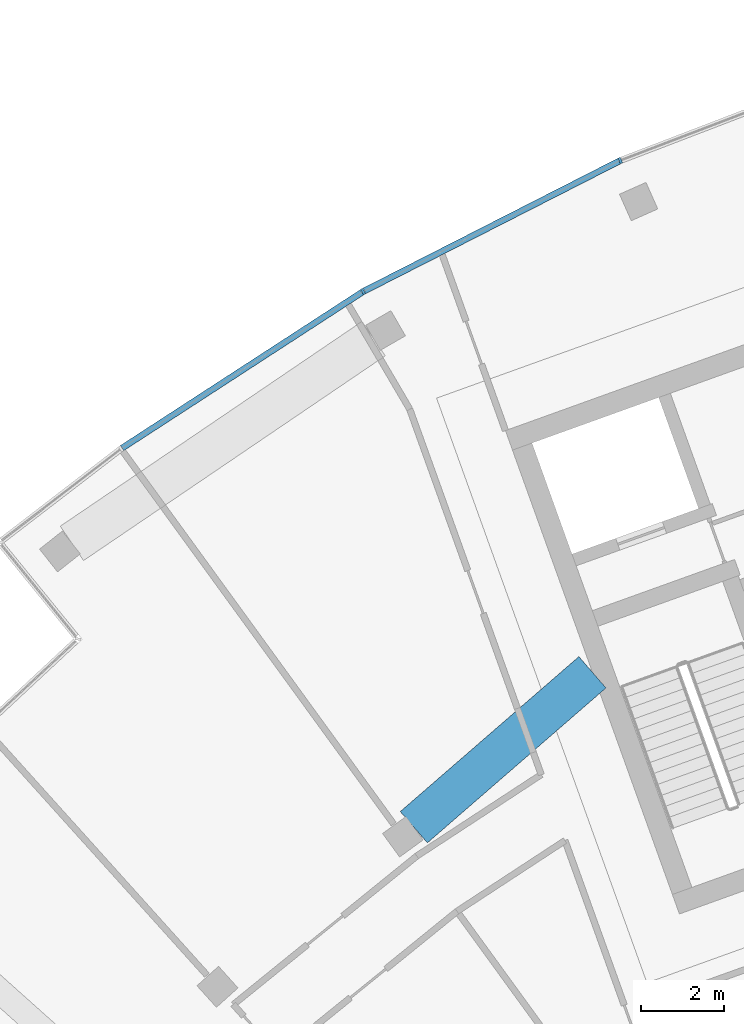
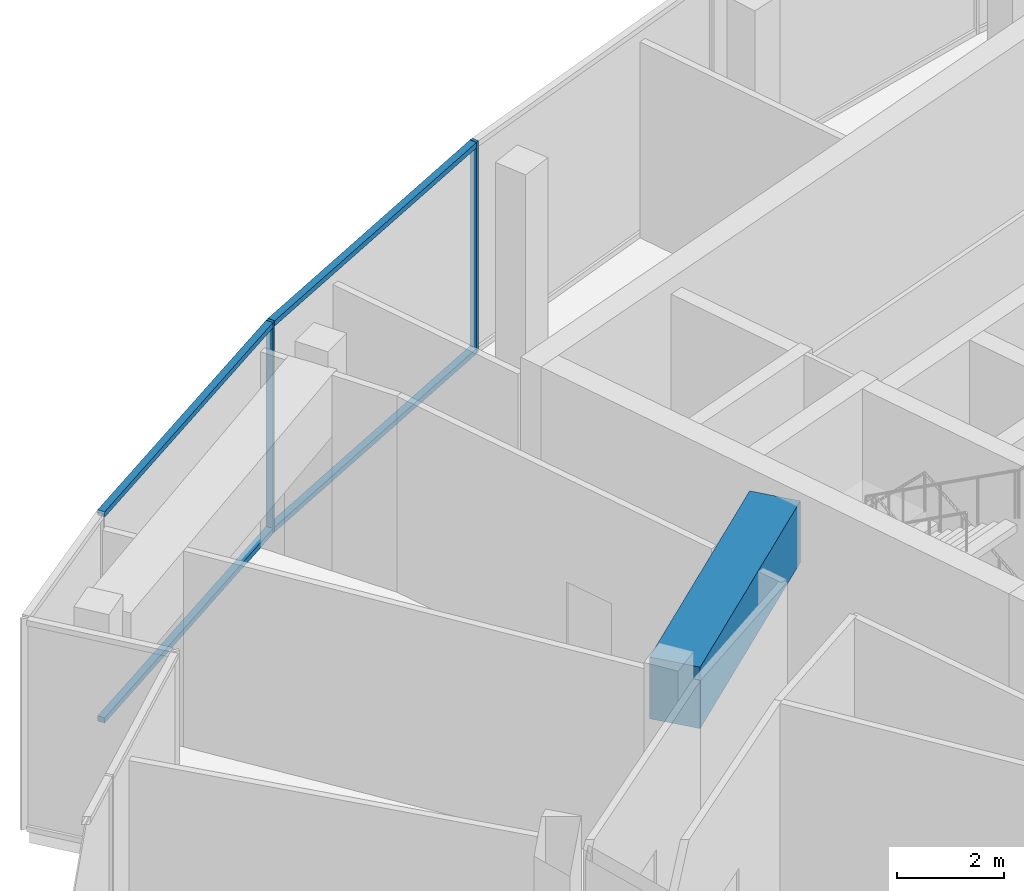
# One storey, part 4 of 17: 6 members, 1 beam, 1 element without a shape of its own.
"""IFC4 building model written with IfcOpenShell, lengths in metres."""

from ifc_helpers import new_model, si_unit, direction, frame, origin, origin_2d, place, context, subcontext, project, spatial, rectangle, extrude, material, layer, layer_set, material_profile, profile_set, type_object, element, aggregate, save


model = new_model("IFC4")

# Units and contexts
model_context = context("Model", 3, precision=1e-05, world=origin(), true_north=direction((0.0, 1.0)))
body_context = subcontext(model_context, "Body", "Model", "MODEL_VIEW")
ifc_project = project(units=[si_unit("LENGTHUNIT", "METRE"), si_unit("AREAUNIT", "SQUARE_METRE"), si_unit("VOLUMEUNIT", "CUBIC_METRE"), si_unit("PLANEANGLEUNIT", "RADIAN"), si_unit("MASSUNIT", "GRAM", prefix="KILO")], contexts=[model_context])

# Site, building, storey
site_placement = place(None, origin())
site = spatial("IfcSite", under=ifc_project, at=site_placement, CompositionType="ELEMENT")
building_placement = place(site_placement, origin())
building = spatial("IfcBuilding", under=site, at=building_placement, Name="Stone Belt Terrace Tower", CompositionType="ELEMENT")
storey_placement = place(building_placement, frame((0.0, 0.0, 318.199951171875)))
storey = spatial("IfcBuildingStorey", under=building, at=storey_placement, Name="L77", CompositionType="ELEMENT", Elevation=318.199951171875)

# Curtain wall, members
ifc_material_1 = material(Name="Aluminium 6063-T6 anodised frame", Category="aluminium")
ifc_layer = layer(ifc_material_1, 0.14990234375)
ifc_layer_set = layer_set([ifc_layer], Name="CW-C stick curtain wall, horn ends and notches")
curtain_wall_type = type_object("IfcCurtainWallType", Name="CW-C stick curtain wall, horn ends and notches", PredefinedType="NOTDEFINED", material=ifc_layer_set)
curtain_wall_placement = place(storey_placement, origin())
curtain_wall = element("IfcCurtainWall", 1, at=curtain_wall_placement, inside=storey, type_object=curtain_wall_type, Name="CW-C convex face L77", PredefinedType="NOTDEFINED")
ifc_material_profile_1 = material_profile(ifc_material_1, rectangle(XDim=0.14990234375, YDim=0.06005859375, at=origin_2d()), Name="Aluminium 6063-T6 60x150")
ifc_profile_set_1 = profile_set([ifc_material_profile_1], Name="Aluminium 6063-T6 anodised frame")
member_type_1 = type_object("IfcMemberType", Name="CW-C mullion 60 x 150", PredefinedType="MULLION", material=ifc_profile_set_1)
member_1_placement = place(storey_placement, frame((-27.07861328125, 60.8193359375, 0.0), z_axis=(0.0, 0.0, 1.0), x_axis=(0.406736643076, -0.913545457643, 0.0)))
member_1 = element("IfcMember", 2, at=member_1_placement, type_object=member_type_1, Name="CW-C mullion 12", PredefinedType="MULLION", context=body_context, shape_type="SweptSolid", body=[
    extrude(rectangle(XDim=0.14990234375, YDim=0.06005859375, at=origin_2d()), origin(), (0.0, 0.0, 1.0), 4.800048828125),
])
member_2_placement = place(storey_placement, frame((-33.28759765625, 57.65576171875, 0.0), z_axis=(0.0, 0.0, 1.0), x_axis=(0.5, -0.866025403784, 0.0)))
member_2 = element("IfcMember", 3, at=member_2_placement, type_object=member_type_1, Name="CW-C mullion 13", PredefinedType="MULLION", context=body_context, shape_type="SweptSolid", body=[
    extrude(rectangle(XDim=0.14990234375, YDim=0.06005859375, at=origin_2d()), origin(), (0.0, 0.0, 1.0), 4.800048828125),
])
ifc_material_profile_2 = material_profile(ifc_material_1, rectangle(XDim=0.14990234375, YDim=0.1201171875, at=origin_2d()), Name="Aluminium 6063-T6 150x120")
ifc_profile_set_2 = profile_set([ifc_material_profile_2], Name="Aluminium 6063-T6 anodised frame")
member_type_2 = type_object("IfcMemberType", Name="CW-C transom 120 x 150", PredefinedType="USERDEFINED", material=ifc_profile_set_2)
member_3_placement = place(storey_placement, frame((-27.108642578125, 60.803955078125, 0.06005859375), z_axis=(-0.891012226264, -0.453979308613, 0.0), x_axis=(0.453979308613, -0.891012226264, 0.0)))
member_3 = element("IfcMember", 4, at=member_3_placement, type_object=member_type_2, Name="CW-C transom 12.1", ObjectType="TRANSOM", PredefinedType="USERDEFINED", context=body_context, shape_type="SweptSolid", body=[
    extrude(rectangle(XDim=0.14990234375, YDim=0.1201171875, at=origin_2d()), origin(), (0.0, 0.0, 1.0), 6.90087890625),
])
member_4_placement = place(storey_placement, frame((-27.108642578125, 60.803955078125, 4.739990234375), z_axis=(-0.891012226264, -0.453979308613, 0.0), x_axis=(0.453979308613, -0.891012226264, 0.0)))
member_4 = element("IfcMember", 5, at=member_4_placement, type_object=member_type_2, Name="CW-C transom 12.2", ObjectType="TRANSOM", PredefinedType="USERDEFINED", context=body_context, shape_type="SweptSolid", body=[
    extrude(rectangle(XDim=0.14990234375, YDim=0.1201171875, at=origin_2d()), origin(), (0.0, 0.0, 1.0), 6.90087890625),
])
member_5_placement = place(storey_placement, frame((-33.31591796875, 57.63720703125, 0.06005859375), z_axis=(-0.83868440714, -0.544617723931, 0.0), x_axis=(0.544617723931, -0.83868440714, 0.0)))
member_5 = element("IfcMember", 6, at=member_5_placement, type_object=member_type_2, Name="CW-C transom 13.1", ObjectType="TRANSOM", PredefinedType="USERDEFINED", context=body_context, shape_type="SweptSolid", body=[
    extrude(rectangle(XDim=0.14990234375, YDim=0.1201171875, at=origin_2d()), origin(), (0.0, 0.0, 1.0), 6.90087890625),
])
member_6_placement = place(storey_placement, frame((-33.31591796875, 57.63720703125, 4.739990234375), z_axis=(-0.83868440714, -0.544617723931, 0.0), x_axis=(0.544617723931, -0.83868440714, 0.0)))
member_6 = element("IfcMember", 7, at=member_6_placement, type_object=member_type_2, Name="CW-C transom 13.2", ObjectType="TRANSOM", PredefinedType="USERDEFINED", context=body_context, shape_type="SweptSolid", body=[
    extrude(rectangle(XDim=0.14990234375, YDim=0.1201171875, at=origin_2d()), origin(), (0.0, 0.0, 1.0), 6.90087890625),
])
aggregate(curtain_wall, [member_1, member_2, member_3, member_4, member_5, member_6])

# Beam
ifc_material_2 = material(Name="Concrete B80", Category="concrete")
ifc_material_profile_3 = material_profile(ifc_material_2, rectangle(XDim=1.0, YDim=1.39990234375, at=origin_2d()), Name="RC 1000x1400")
ifc_profile_set_3 = profile_set([ifc_material_profile_3], Name="Concrete B80")
beam_type = type_object("IfcBeamType", Name="Transfer beam RC 1000x1400 B80", PredefinedType="BEAM", material=ifc_profile_set_3)
beam_placement = place(storey_placement, frame((-32.062744140625, 44.72607421875, 3.75), z_axis=(0.755399683299, 0.655264311917, 0.0), x_axis=(-0.655264311917, 0.755399683299, 0.0)))
element("IfcBeam", 8, at=beam_placement, inside=storey, type_object=beam_type, Name="Transfer beam L77 QQ16-WAw", PredefinedType="BEAM", context=body_context, shape_type="SweptSolid", body=[
    extrude(rectangle(XDim=1.0, YDim=1.39990234375, at=origin_2d()), origin(), (0.0, 0.0, 1.0), 5.70751953125),
])

save(model, "model.ifc")
